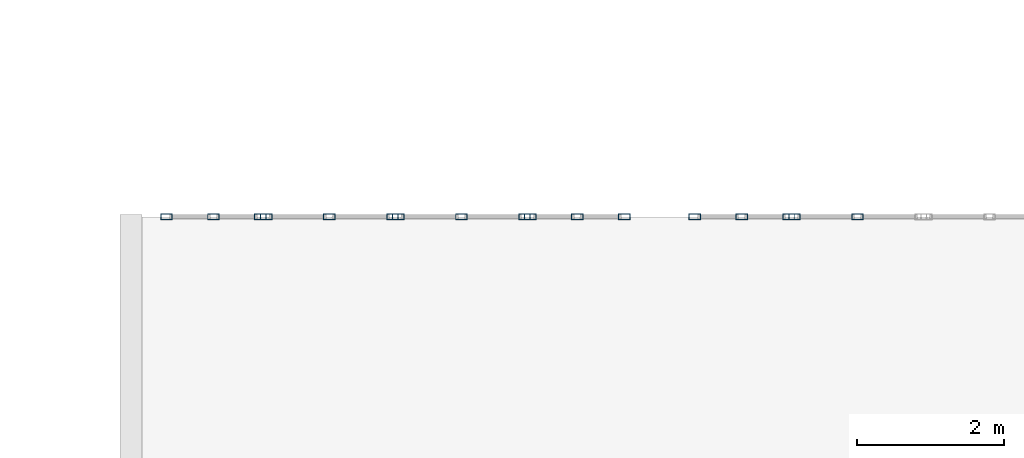
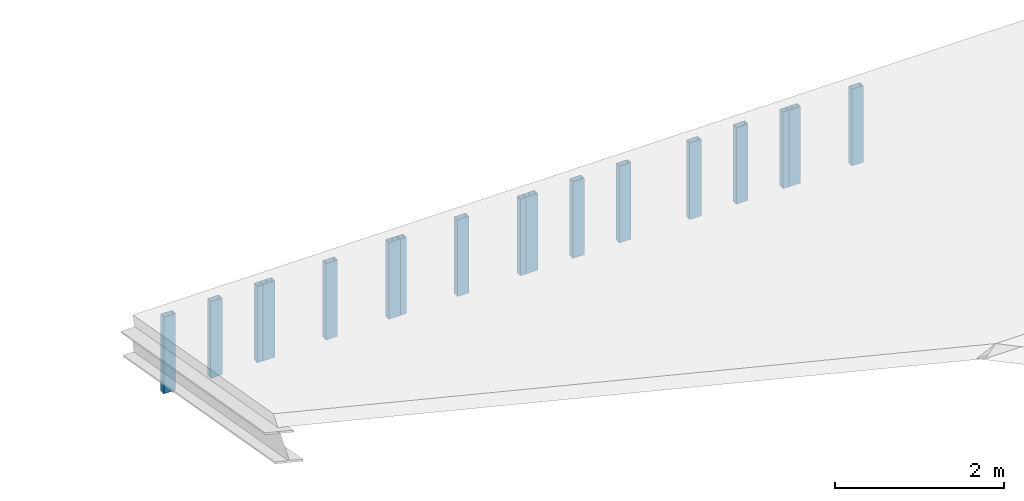
# One storey, part 13 of 39: 17 members, 6 elements without a shape of their own.
"""IFC4 building model written with IfcOpenShell, lengths in metres."""

from ifc_helpers import new_model, si_unit, direction, frame, origin, origin_2d, place, context, subcontext, project, spatial, hollow_rectangle, extrude, material, layer, layer_set, material_profile, profile_set, type_object, element, aggregate, save


model = new_model("IFC4")

# Units and contexts
model_context = context("Model", 3, precision=1e-05, world=origin(), true_north=direction((0.0, 1.0)))
body_context = subcontext(model_context, "Body", "Model", "MODEL_VIEW")
ifc_project = project(units=[si_unit("LENGTHUNIT", "METRE"), si_unit("AREAUNIT", "SQUARE_METRE"), si_unit("VOLUMEUNIT", "CUBIC_METRE"), si_unit("PLANEANGLEUNIT", "RADIAN"), si_unit("MASSUNIT", "GRAM", prefix="KILO"), si_unit("THERMODYNAMICTEMPERATUREUNIT", "KELVIN"), si_unit("POWERUNIT", "WATT")], contexts=[model_context])

# Site, building, storey
site_placement = place(None, origin())
site = spatial("IfcSite", under=ifc_project, at=site_placement, CompositionType="ELEMENT")
building_placement = place(site_placement, origin())
building = spatial("IfcBuilding", under=site, at=building_placement, Name="Kaldorven Railside Theatre", CompositionType="ELEMENT")
storey_placement = place(building_placement, frame((0.0, 0.0, 27.300048828125)))
storey = spatial("IfcBuildingStorey", under=building, at=storey_placement, Name="ROOF", CompositionType="ELEMENT", Elevation=27.300048828125)

# Curtain wall, members
ifc_material_1 = material(Name="Low-E laminated solar-control glass", Category="glass")
ifc_layer_1 = layer(ifc_material_1, 0.159912109375, Name="Low-E laminated solar-control glass")
ifc_layer_set_1 = layer_set([ifc_layer_1], Name="Low-E laminated solar-control glass")
curtain_wall_type_1 = type_object("IfcCurtainWallType", Name="CWT-82", PredefinedType="USERDEFINED", material=ifc_layer_set_1)
curtain_wall_1_placement = place(storey_placement, origin())
curtain_wall_1 = element("IfcCurtainWall", 1, at=curtain_wall_1_placement, inside=storey, type_object=curtain_wall_type_1, Name="Backstage Link North Clerestory CWG-202", ObjectType="FLUTED GLAZING", PredefinedType="USERDEFINED")
ifc_material_2 = material(Name="Anodised bronze aluminium", Category="aluminium")
ifc_material_profile = material_profile(ifc_material_2, hollow_rectangle(XDim=0.080078125, YDim=0.159912109375, WallThickness=0.00634765625, at=origin_2d()), Name="RHS 160x80x6.3")
ifc_profile_set = profile_set([ifc_material_profile], Name="Anodised bronze aluminium")
member_type = type_object("IfcMemberType", Name="CWM-160", PredefinedType="MULLION", material=ifc_profile_set)
member_1_placement = place(storey_placement, frame((109.280029296875, 134.39990234375, 0.02001953125), z_axis=(0.0, 0.0, 1.0), x_axis=(0.0, 1.0, 0.0)))
member_1 = element("IfcMember", 2, at=member_1_placement, type_object=member_type, Name="CWG-202 mullion 1", PredefinedType="MULLION", context=body_context, shape_type="SweptSolid", body=[
    extrude(hollow_rectangle(XDim=0.080078125, YDim=0.159912109375, WallThickness=0.00634765625, at=origin_2d()), origin(), (0.0, 0.0, 1.0), 1.10986328125),
])
member_2_placement = place(storey_placement, frame((109.919921875, 134.39990234375, 0.02001953125), z_axis=(0.0, 0.0, 1.0), x_axis=(0.0, 1.0, 0.0)))
member_2 = element("IfcMember", 3, at=member_2_placement, type_object=member_type, Name="CWG-202 mullion 2", PredefinedType="MULLION", context=body_context, shape_type="SweptSolid", body=[
    extrude(hollow_rectangle(XDim=0.080078125, YDim=0.159912109375, WallThickness=0.00634765625, at=origin_2d()), origin(), (0.0, 0.0, 1.0), 1.10986328125),
])
member_3_placement = place(storey_placement, frame((110.56005859375, 134.39990234375, 0.02001953125), z_axis=(0.0, 0.0, 1.0), x_axis=(0.0, 1.0, 0.0)))
member_3 = element("IfcMember", 4, at=member_3_placement, type_object=member_type, Name="CWG-202 mullion 3", PredefinedType="MULLION", context=body_context, shape_type="SweptSolid", body=[
    extrude(hollow_rectangle(XDim=0.080078125, YDim=0.159912109375, WallThickness=0.00634765625, at=origin_2d()), origin(), (0.0, 0.0, 1.0), 1.10986328125),
])
aggregate(curtain_wall_1, [member_1, member_2, member_3])

ifc_layer_2 = layer(ifc_material_1, 0.159912109375, Name="Low-E laminated solar-control glass")
ifc_layer_set_2 = layer_set([ifc_layer_2], Name="Low-E laminated solar-control glass")
curtain_wall_type_2 = type_object("IfcCurtainWallType", Name="CWT-83", PredefinedType="USERDEFINED", material=ifc_layer_set_2)
curtain_wall_2_placement = place(storey_placement, origin())
curtain_wall_2 = element("IfcCurtainWall", 5, at=curtain_wall_2_placement, inside=storey, type_object=curtain_wall_type_2, Name="Backstage Link North Clerestory CWG-203", ObjectType="FLUTED GLAZING", PredefinedType="USERDEFINED")
member_4_placement = place(storey_placement, frame((110.639892578125, 134.39990234375, 0.02001953125), z_axis=(0.0, 0.0, 1.0), x_axis=(0.0, 1.0, 0.0)))
member_4 = element("IfcMember", 6, at=member_4_placement, type_object=member_type, Name="CWG-203 mullion 1", PredefinedType="MULLION", context=body_context, shape_type="SweptSolid", body=[
    extrude(hollow_rectangle(XDim=0.080078125, YDim=0.159912109375, WallThickness=0.00634765625, at=origin_2d()), origin(), (0.0, 0.0, 1.0), 1.10986328125),
])
member_5_placement = place(storey_placement, frame((111.5, 134.39990234375, 0.02001953125), z_axis=(0.0, 0.0, 1.0), x_axis=(0.0, 1.0, 0.0)))
member_5 = element("IfcMember", 7, at=member_5_placement, type_object=member_type, Name="CWG-203 mullion 2", PredefinedType="MULLION", context=body_context, shape_type="SweptSolid", body=[
    extrude(hollow_rectangle(XDim=0.080078125, YDim=0.159912109375, WallThickness=0.00634765625, at=origin_2d()), origin(), (0.0, 0.0, 1.0), 1.10986328125),
])
member_6_placement = place(storey_placement, frame((112.360107421875, 134.39990234375, 0.02001953125), z_axis=(0.0, 0.0, 1.0), x_axis=(0.0, 1.0, 0.0)))
member_6 = element("IfcMember", 8, at=member_6_placement, type_object=member_type, Name="CWG-203 mullion 3", PredefinedType="MULLION", context=body_context, shape_type="SweptSolid", body=[
    extrude(hollow_rectangle(XDim=0.080078125, YDim=0.159912109375, WallThickness=0.00634765625, at=origin_2d()), origin(), (0.0, 0.0, 1.0), 1.10986328125),
])
aggregate(curtain_wall_2, [member_4, member_5, member_6])

curtain_wall_3_placement = place(storey_placement, origin())
curtain_wall_3 = element("IfcCurtainWall", 9, at=curtain_wall_3_placement, inside=storey, type_object=curtain_wall_type_2, Name="Backstage Link North Clerestory CWG-204", ObjectType="FLUTED GLAZING", PredefinedType="USERDEFINED")
member_7_placement = place(storey_placement, frame((112.43994140625, 134.39990234375, 0.02001953125), z_axis=(0.0, 0.0, 1.0), x_axis=(0.0, 1.0, 0.0)))
member_7 = element("IfcMember", 10, at=member_7_placement, type_object=member_type, Name="CWG-204 mullion 1", PredefinedType="MULLION", context=body_context, shape_type="SweptSolid", body=[
    extrude(hollow_rectangle(XDim=0.080078125, YDim=0.159912109375, WallThickness=0.00634765625, at=origin_2d()), origin(), (0.0, 0.0, 1.0), 1.10986328125),
])
member_8_placement = place(storey_placement, frame((113.300048828125, 134.39990234375, 0.02001953125), z_axis=(0.0, 0.0, 1.0), x_axis=(0.0, 1.0, 0.0)))
member_8 = element("IfcMember", 11, at=member_8_placement, type_object=member_type, Name="CWG-204 mullion 2", PredefinedType="MULLION", context=body_context, shape_type="SweptSolid", body=[
    extrude(hollow_rectangle(XDim=0.080078125, YDim=0.159912109375, WallThickness=0.00634765625, at=origin_2d()), origin(), (0.0, 0.0, 1.0), 1.10986328125),
])
member_9_placement = place(storey_placement, frame((114.159912109375, 134.39990234375, 0.02001953125), z_axis=(0.0, 0.0, 1.0), x_axis=(0.0, 1.0, 0.0)))
member_9 = element("IfcMember", 12, at=member_9_placement, type_object=member_type, Name="CWG-204 mullion 3", PredefinedType="MULLION", context=body_context, shape_type="SweptSolid", body=[
    extrude(hollow_rectangle(XDim=0.080078125, YDim=0.159912109375, WallThickness=0.00634765625, at=origin_2d()), origin(), (0.0, 0.0, 1.0), 1.10986328125),
])
aggregate(curtain_wall_3, [member_7, member_8, member_9])

curtain_wall_4_placement = place(storey_placement, origin())
curtain_wall_4 = element("IfcCurtainWall", 13, at=curtain_wall_4_placement, inside=storey, type_object=curtain_wall_type_1, Name="Backstage Link North Clerestory CWG-205", ObjectType="FLUTED GLAZING", PredefinedType="USERDEFINED")
member_10_placement = place(storey_placement, frame((114.239990234375, 134.39990234375, 0.02001953125), z_axis=(0.0, 0.0, 1.0), x_axis=(0.0, 1.0, 0.0)))
member_10 = element("IfcMember", 14, at=member_10_placement, type_object=member_type, Name="CWG-205 mullion 1", PredefinedType="MULLION", context=body_context, shape_type="SweptSolid", body=[
    extrude(hollow_rectangle(XDim=0.080078125, YDim=0.159912109375, WallThickness=0.00634765625, at=origin_2d()), origin(), (0.0, 0.0, 1.0), 1.10986328125),
])
member_11_placement = place(storey_placement, frame((114.8798828125, 134.39990234375, 0.02001953125), z_axis=(0.0, 0.0, 1.0), x_axis=(0.0, 1.0, 0.0)))
member_11 = element("IfcMember", 15, at=member_11_placement, type_object=member_type, Name="CWG-205 mullion 2", PredefinedType="MULLION", context=body_context, shape_type="SweptSolid", body=[
    extrude(hollow_rectangle(XDim=0.080078125, YDim=0.159912109375, WallThickness=0.00634765625, at=origin_2d()), origin(), (0.0, 0.0, 1.0), 1.10986328125),
])
member_12_placement = place(storey_placement, frame((115.52001953125, 134.39990234375, 0.02001953125), z_axis=(0.0, 0.0, 1.0), x_axis=(0.0, 1.0, 0.0)))
member_12 = element("IfcMember", 16, at=member_12_placement, type_object=member_type, Name="CWG-205 mullion 3", PredefinedType="MULLION", context=body_context, shape_type="SweptSolid", body=[
    extrude(hollow_rectangle(XDim=0.080078125, YDim=0.159912109375, WallThickness=0.00634765625, at=origin_2d()), origin(), (0.0, 0.0, 1.0), 1.10986328125),
])
aggregate(curtain_wall_4, [member_10, member_11, member_12])

curtain_wall_5_placement = place(storey_placement, origin())
curtain_wall_5 = element("IfcCurtainWall", 17, at=curtain_wall_5_placement, inside=storey, type_object=curtain_wall_type_1, Name="Backstage Link North Clerestory CWG-206", ObjectType="FLUTED GLAZING", PredefinedType="USERDEFINED")
member_13_placement = place(storey_placement, frame((116.47998046875, 134.39990234375, 0.02001953125), z_axis=(0.0, 0.0, 1.0), x_axis=(0.0, 1.0, 0.0)))
member_13 = element("IfcMember", 18, at=member_13_placement, type_object=member_type, Name="CWG-206 mullion 1", PredefinedType="MULLION", context=body_context, shape_type="SweptSolid", body=[
    extrude(hollow_rectangle(XDim=0.080078125, YDim=0.159912109375, WallThickness=0.00634765625, at=origin_2d()), origin(), (0.0, 0.0, 1.0), 1.10986328125),
])
member_14_placement = place(storey_placement, frame((117.1201171875, 134.39990234375, 0.02001953125), z_axis=(0.0, 0.0, 1.0), x_axis=(0.0, 1.0, 0.0)))
member_14 = element("IfcMember", 19, at=member_14_placement, type_object=member_type, Name="CWG-206 mullion 2", PredefinedType="MULLION", context=body_context, shape_type="SweptSolid", body=[
    extrude(hollow_rectangle(XDim=0.080078125, YDim=0.159912109375, WallThickness=0.00634765625, at=origin_2d()), origin(), (0.0, 0.0, 1.0), 1.10986328125),
])
member_15_placement = place(storey_placement, frame((117.760009765625, 134.39990234375, 0.02001953125), z_axis=(0.0, 0.0, 1.0), x_axis=(0.0, 1.0, 0.0)))
member_15 = element("IfcMember", 20, at=member_15_placement, type_object=member_type, Name="CWG-206 mullion 3", PredefinedType="MULLION", context=body_context, shape_type="SweptSolid", body=[
    extrude(hollow_rectangle(XDim=0.080078125, YDim=0.159912109375, WallThickness=0.00634765625, at=origin_2d()), origin(), (0.0, 0.0, 1.0), 1.10986328125),
])
aggregate(curtain_wall_5, [member_13, member_14, member_15])

curtain_wall_6_placement = place(storey_placement, origin())
curtain_wall_6 = element("IfcCurtainWall", 21, at=curtain_wall_6_placement, inside=storey, type_object=curtain_wall_type_2, Name="Backstage Link North Clerestory CWG-207", ObjectType="FLUTED GLAZING", PredefinedType="USERDEFINED")
member_16_placement = place(storey_placement, frame((117.840087890625, 134.39990234375, 0.02001953125), z_axis=(0.0, 0.0, 1.0), x_axis=(0.0, 1.0, 0.0)))
member_16 = element("IfcMember", 22, at=member_16_placement, type_object=member_type, Name="CWG-207 mullion 1", PredefinedType="MULLION", context=body_context, shape_type="SweptSolid", body=[
    extrude(hollow_rectangle(XDim=0.080078125, YDim=0.159912109375, WallThickness=0.00634765625, at=origin_2d()), origin(), (0.0, 0.0, 1.0), 1.10986328125),
])
member_17_placement = place(storey_placement, frame((118.699951171875, 134.39990234375, 0.02001953125), z_axis=(0.0, 0.0, 1.0), x_axis=(0.0, 1.0, 0.0)))
member_17 = element("IfcMember", 23, at=member_17_placement, type_object=member_type, Name="CWG-207 mullion 2", PredefinedType="MULLION", context=body_context, shape_type="SweptSolid", body=[
    extrude(hollow_rectangle(XDim=0.080078125, YDim=0.159912109375, WallThickness=0.00634765625, at=origin_2d()), origin(), (0.0, 0.0, 1.0), 1.10986328125),
])
aggregate(curtain_wall_6, [member_16, member_17])

save(model, "model.ifc")
